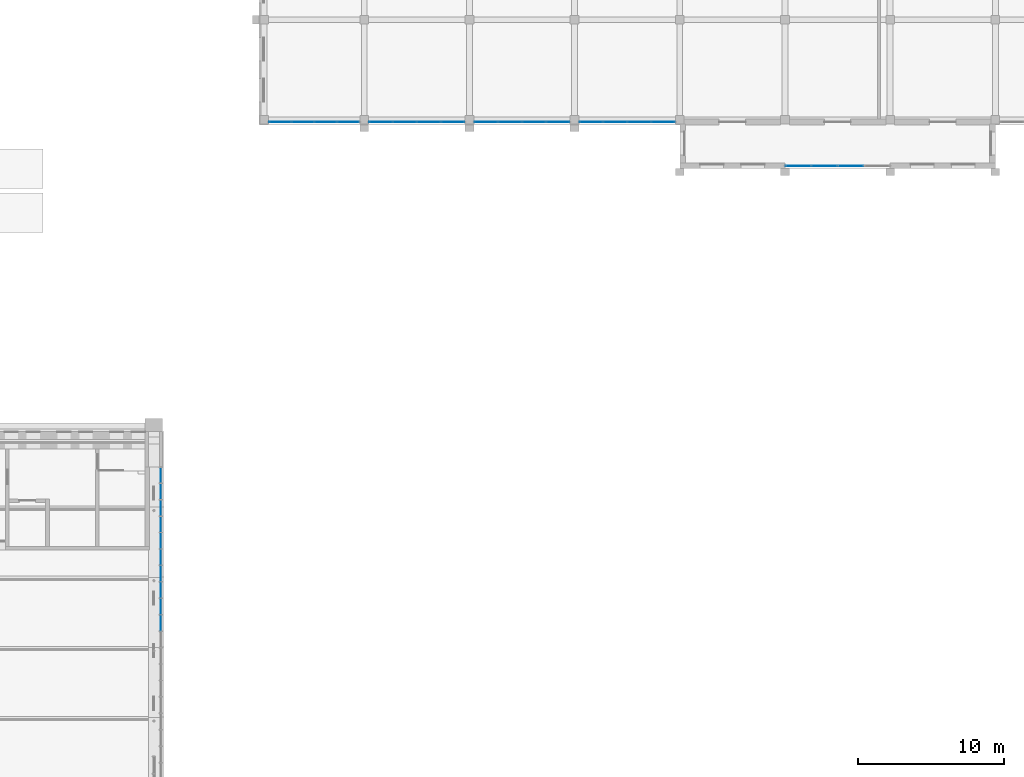
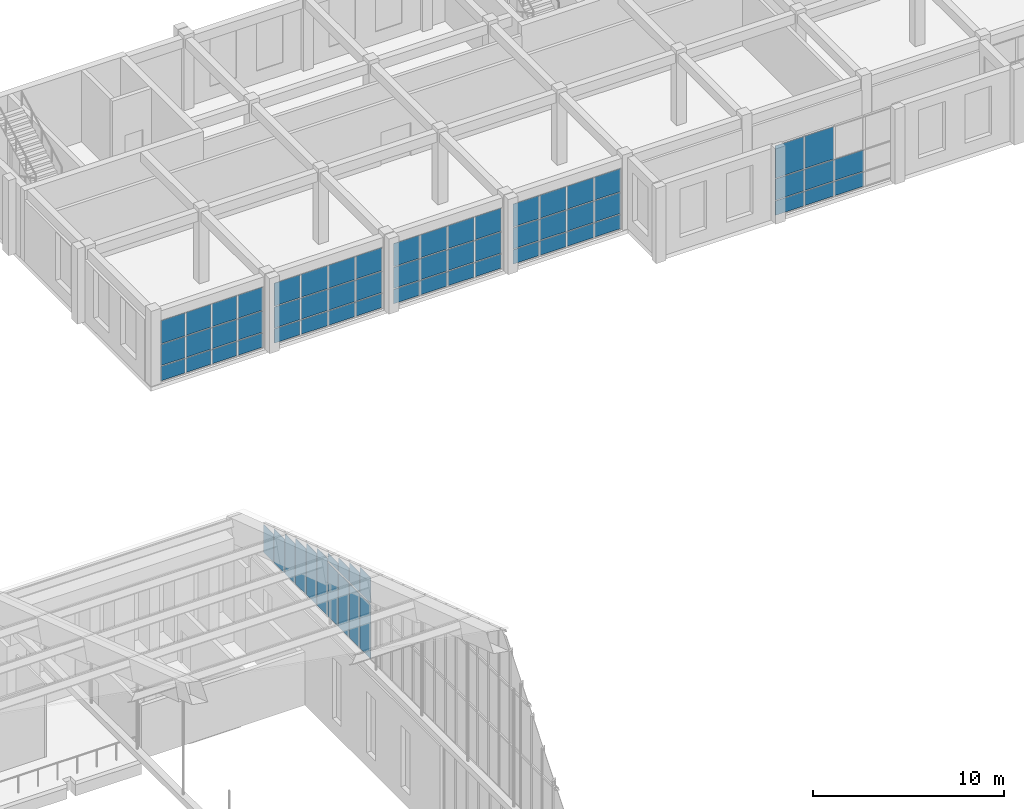
# One storey, part 119 of 149: 70 plates, 6 elements without a shape of their own.
"""IFC4 building model written with IfcOpenShell, lengths in metres."""

import ifcopenshell
import ifcopenshell.guid

model = None  # the IFC model being written
_history = None  # IfcOwnerHistory: only IFC2X3 demands one
_inside = {}  # id of a spatial element -> (the spatial element, [elements in it])
_under = {}  # id of a project, library or spatial element -> (it, [spatial elements below it])
_declared = {}  # id of a project -> (the project, [libraries it declares])
_typed = {}  # id of a type object -> (the type object, [elements of that type])
_made_of = {}  # id of a material, layer set ... -> (it, [elements and type objects made of it])


def new_model(schema):
    """Start an empty IFC model of exactly this schema.

    Asked for "IFC4X3", IfcOpenShell would pick the latest addendum, in which some entities
    have other attributes; the version numbers below select the first issue.
    IFC2X3 requires an IfcOwnerHistory on every rooted entity: one is made here for all.
    """
    global model, _history
    if schema == "IFC4X3":
        model = ifcopenshell.file(schema_version=(4, 3, 0, 0))
    else:
        model = ifcopenshell.file(schema=schema)
    _inside.clear()
    _under.clear()
    _declared.clear()
    _typed.clear()
    _made_of.clear()
    _history = None
    if model.schema == "IFC2X3":
        org = make("IfcOrganization", Name="unknown")
        user = make(
            "IfcPersonAndOrganization",
            ThePerson=make("IfcPerson", FamilyName="unknown"),
            TheOrganization=org,
        )
        app = make(
            "IfcApplication",
            ApplicationDeveloper=org,
            Version="unknown",
            ApplicationFullName="unknown",
            ApplicationIdentifier="unknown",
        )
        _history = make(
            "IfcOwnerHistory",
            OwningUser=user,
            OwningApplication=app,
            ChangeAction="ADDED",
            CreationDate=0,
        )
    return model


def make(cls, **values):
    """One entity of the class cls with the attributes given. An attribute that is None is left unset."""
    return model.create_entity(
        cls, **{name: value for name, value in values.items() if value is not None}
    )


def rooted(cls, **values):
    """An entity with a GlobalId (a new one), such as an element, a storey or a relation."""
    return make(cls, GlobalId=ifcopenshell.guid.new(), OwnerHistory=_history, **values)


def si_unit(unit_type, name, prefix=None):
    """IfcSIUnit, for example si_unit("LENGTHUNIT", "METRE", prefix="MILLI")."""
    return make("IfcSIUnit", UnitType=unit_type, Prefix=prefix, Name=name)


def assignment(units):
    """IfcUnitAssignment: the units of a project."""
    return None if units is None else make("IfcUnitAssignment", Units=units)


def point(xyz):
    """IfcCartesianPoint."""
    return None if xyz is None else make("IfcCartesianPoint", Coordinates=xyz)


def direction(xyz):
    """IfcDirection."""
    return None if xyz is None else make("IfcDirection", DirectionRatios=xyz)


def frame(location, z_axis=None, x_axis=None):
    """IfcAxis2Placement3D, a coordinate frame: its origin and axes. An axis left out is left unset."""
    return make(
        "IfcAxis2Placement3D",
        Location=point(location),
        Axis=direction(z_axis),
        RefDirection=direction(x_axis),
    )


def frame_2d(location, x_axis=None):
    """IfcAxis2Placement2D, a coordinate frame in the plane: its origin and x axis."""
    return make(
        "IfcAxis2Placement2D", Location=point(location), RefDirection=direction(x_axis)
    )


def origin():
    """The frame at (0, 0, 0) with its axes left unset."""
    return frame((0.0, 0.0, 0.0))


def origin_2d():
    """The frame at (0, 0) in the plane with its x axis left unset."""
    return frame_2d((0.0, 0.0))


def place(relative_to, where):
    """IfcLocalPlacement: puts the frame where relative to a parent placement (None: the world)."""
    return make(
        "IfcLocalPlacement", PlacementRelTo=relative_to, RelativePlacement=where
    )


def context(
    kind, dimensions, precision=None, world=None, true_north=None, identifier=None
):
    """IfcGeometricRepresentationContext, for example the 3D "Model" context."""
    return make(
        "IfcGeometricRepresentationContext",
        ContextIdentifier=identifier,
        ContextType=kind,
        CoordinateSpaceDimension=dimensions,
        Precision=precision,
        WorldCoordinateSystem=world,
        TrueNorth=true_north,
    )


def subcontext(parent, identifier, kind, view, scale=None):
    """IfcGeometricRepresentationSubContext, for example "Body" below "Model"."""
    return make(
        "IfcGeometricRepresentationSubContext",
        ContextIdentifier=identifier,
        ContextType=kind,
        ParentContext=parent,
        TargetScale=scale,
        TargetView=view,
    )


def project(units=None, contexts=None):
    """IfcProject with its units and contexts."""
    return rooted(
        "IfcProject",
        Name="project",
        RepresentationContexts=contexts,
        UnitsInContext=assignment(units),
    )


def spatial(cls, under=None, at=None, **own):
    """A site, building, storey or space (cls), placed at a placement, below another one or the project."""
    s = rooted(cls, ObjectPlacement=at, **own)
    if under is not None:
        _under.setdefault(under.id(), (under, []))[1].append(s)
    return s


def profile(cls, at=None, kind="AREA", **sizes):
    """A parametric profile (cls). Its sizes go by their IFC names, for example OverallWidth=200.0."""
    return make(cls, ProfileType=kind, Position=at, **sizes)


def rectangle(**sizes):
    """IfcRectangleProfileDef."""
    return profile("IfcRectangleProfileDef", **sizes)


def extrude(swept, where, along, depth):
    """IfcExtrudedAreaSolid: the profile swept, set in the frame where, extruded along a direction by depth."""
    return make(
        "IfcExtrudedAreaSolid",
        SweptArea=swept,
        Position=where,
        ExtrudedDirection=direction(along),
        Depth=depth,
    )


def shape(context_of_items, identifier, shape_type, items):
    """IfcShapeRepresentation: the items that make up one representation, for example the "Body"."""
    return make(
        "IfcShapeRepresentation",
        ContextOfItems=context_of_items,
        RepresentationIdentifier=identifier,
        RepresentationType=shape_type,
        Items=items,
    )


def material(Name=None, Category=None):
    """IfcMaterial."""
    return make("IfcMaterial", Name=Name, Category=Category)


def layer(
    of_material, thickness, ventilated=None, Name=None, Category=None, Priority=None
):
    """IfcMaterialLayer: one layer of a wall or slab, of a material (None: an air gap)."""
    return make(
        "IfcMaterialLayer",
        Material=of_material,
        LayerThickness=thickness,
        IsVentilated=ventilated,
        Name=Name,
        Category=Category,
        Priority=Priority,
    )


def layer_set(layers, Name=None):
    """IfcMaterialLayerSet."""
    return make("IfcMaterialLayerSet", MaterialLayers=layers, LayerSetName=Name)


def made_of(thing, what):
    """Note that an element or type object is made of a material, layer set ...; save() writes the relation."""
    if what is not None:
        _made_of.setdefault(what.id(), (what, []))[1].append(thing)
    return thing


def type_object(cls, material=None, **own):
    """A type object (cls), such as IfcWallType, which elements share."""
    return made_of(rooted(cls, **own), material)


def element(
    cls,
    number,
    at=None,
    inside=None,
    cuts=None,
    type_object=None,
    material=None,
    context=None,
    identifier="Body",
    shape_type=None,
    held_by="IfcProductDefinitionShape",
    body=None,
    shapes=None,
    **own,
):
    """One element of the class cls, such as IfcWall. Its Tag is "e" and its number.

    at: its placement. inside: the storey or other place that contains it. cuts: it is an
    opening in that element (IfcRelVoidsElement). A single representation is given by context,
    identifier, shape_type and body (its items); several are given by shapes. held_by: the class
    of the entity that holds the representations. save() writes the other relations.
    """
    e = rooted(cls, Tag="e%d" % number, ObjectPlacement=at, **own)
    if body is not None:
        shapes = [shape(context, identifier, shape_type, body)]
    if shapes is not None:
        e.Representation = make(held_by, Representations=shapes)
    if inside is not None:
        _inside.setdefault(inside.id(), (inside, []))[1].append(e)
    if cuts is not None:
        rooted(
            "IfcRelVoidsElement", RelatingBuildingElement=cuts, RelatedOpeningElement=e
        )
    if type_object is not None:
        _typed.setdefault(type_object.id(), (type_object, []))[1].append(e)
    return made_of(e, material)


def aggregate(whole, parts):
    """IfcRelAggregates: a whole, such as a stair, and the parts it consists of."""
    return rooted("IfcRelAggregates", RelatingObject=whole, RelatedObjects=parts)


def save(model, path):
    """Write the relations noted so far, then the file.

    IfcRelAggregates (storeys below a building ...), IfcRelContainedInSpatialStructure (elements
    in a storey), IfcRelDefinesByType, IfcRelAssociatesMaterial and IfcRelDeclares: one each for
    every whole, place, type object, material and project.
    """
    for whole, parts in _under.values():
        aggregate(whole, parts)
    for where, things in _inside.values():
        rooted(
            "IfcRelContainedInSpatialStructure",
            RelatedElements=things,
            RelatingStructure=where,
        )
    for kind, things in _typed.values():
        rooted("IfcRelDefinesByType", RelatedObjects=things, RelatingType=kind)
    for what, things in _made_of.values():
        rooted("IfcRelAssociatesMaterial", RelatedObjects=things, RelatingMaterial=what)
    for by, libraries in _declared.values():
        rooted("IfcRelDeclares", RelatingContext=by, RelatedDefinitions=libraries)
    model.write(path)


model = new_model("IFC4")

# Units and contexts
model_context = context("Model", 3, precision=1e-05, world=origin(), true_north=direction((0.0, 1.0)))
body_context = subcontext(model_context, "Body", "Model", "MODEL_VIEW")
ifc_project = project(units=[si_unit("LENGTHUNIT", "METRE"), si_unit("AREAUNIT", "SQUARE_METRE"), si_unit("VOLUMEUNIT", "CUBIC_METRE"), si_unit("PLANEANGLEUNIT", "RADIAN"), si_unit("MASSUNIT", "GRAM", prefix="KILO")], contexts=[model_context])

# Site, building, storey
site_placement = place(None, origin())
site = spatial("IfcSite", under=ifc_project, at=site_placement, CompositionType="ELEMENT")
building_placement = place(site_placement, origin())
building = spatial("IfcBuilding", under=site, at=building_placement, Name="Alderwick Market Hall", CompositionType="ELEMENT")
storey_placement = place(building_placement, frame((0.0, 0.0, 9.60009765625)))
storey = spatial("IfcBuildingStorey", under=building, at=storey_placement, Name="L01", CompositionType="ELEMENT", Elevation=9.60009765625)

# Curtain wall, plates
ifc_material_1 = material(Name="F Curtain Wall 1800 module")
curtain_wall_type_1 = type_object("IfcCurtainWallType", Name="F Curtain Wall 1800 module", PredefinedType="NOTDEFINED", material=ifc_material_1)
curtain_wall_1_placement = place(storey_placement, origin())
curtain_wall_1 = element("IfcCurtainWall", 1, at=curtain_wall_1_placement, inside=storey, type_object=curtain_wall_type_1, Name="F.cw.L01.01", PredefinedType="NOTDEFINED")
ifc_material_2 = material(Name="Laminated glass 28 mm", Category="glass")
ifc_layer_1 = layer(ifc_material_2, 0.028076171875)
ifc_layer_set_1 = layer_set([ifc_layer_1], Name="Laminated glass 28 mm")
plate_type_1 = type_object("IfcPlateType", Name="F Curtain Wall Glass Panel 28", PredefinedType="CURTAIN_PANEL", material=ifc_layer_set_1)
plate_1_placement = place(storey_placement, frame((164.503662109375, 129.800048828125, 0.06005859375), z_axis=(0.0, 0.0, 1.0), x_axis=(-1.0, 0.0, 0.0)))
plate_1 = element("IfcPlate", 2, at=plate_1_placement, type_object=plate_type_1, Name="F-CW panel 1.1", PredefinedType="CURTAIN_PANEL", context=body_context, shape_type="SweptSolid", body=[
    extrude(rectangle(XDim=1.472412109375, YDim=0.028076171875, at=origin_2d()), origin(), (0.0, 0.0, 1.0), 0.909912109375),
])
plate_2_placement = place(storey_placement, frame((164.503662109375, 129.800048828125, 1.02978515625), z_axis=(0.0, 0.0, 1.0), x_axis=(-1.0, 0.0, 0.0)))
plate_2 = element("IfcPlate", 3, at=plate_2_placement, type_object=plate_type_1, Name="F-CW panel 1.2", PredefinedType="CURTAIN_PANEL", context=body_context, shape_type="SweptSolid", body=[
    extrude(rectangle(XDim=1.472412109375, YDim=0.028076171875, at=origin_2d()), origin(), (0.0, 0.0, 1.0), 1.340087890625),
])
plate_3_placement = place(storey_placement, frame((164.503662109375, 129.800048828125, 2.429931640625), z_axis=(0.0, 0.0, 1.0), x_axis=(-1.0, 0.0, 0.0)))
plate_3 = element("IfcPlate", 4, at=plate_3_placement, type_object=plate_type_1, Name="F-CW panel 1.3", PredefinedType="CURTAIN_PANEL", context=body_context, shape_type="SweptSolid", body=[
    extrude(rectangle(XDim=1.472412109375, YDim=0.028076171875, at=origin_2d()), origin(), (0.0, 0.0, 1.0), 1.4599609375),
])
plate_4_placement = place(storey_placement, frame((162.956298828125, 129.800048828125, 0.06005859375), z_axis=(0.0, 0.0, 1.0), x_axis=(-1.0, 0.0, 0.0)))
plate_4 = element("IfcPlate", 5, at=plate_4_placement, type_object=plate_type_1, Name="F-CW panel 2.1", PredefinedType="CURTAIN_PANEL", context=body_context, shape_type="SweptSolid", body=[
    extrude(rectangle(XDim=1.50244140625, YDim=0.028076171875, at=origin_2d()), origin(), (0.0, 0.0, 1.0), 0.909912109375),
])
plate_5_placement = place(storey_placement, frame((162.956298828125, 129.800048828125, 1.02978515625), z_axis=(0.0, 0.0, 1.0), x_axis=(-1.0, 0.0, 0.0)))
plate_5 = element("IfcPlate", 6, at=plate_5_placement, type_object=plate_type_1, Name="F-CW panel 2.2", PredefinedType="CURTAIN_PANEL", context=body_context, shape_type="SweptSolid", body=[
    extrude(rectangle(XDim=1.50244140625, YDim=0.028076171875, at=origin_2d()), origin(), (0.0, 0.0, 1.0), 1.340087890625),
])
plate_6_placement = place(storey_placement, frame((162.956298828125, 129.800048828125, 2.429931640625), z_axis=(0.0, 0.0, 1.0), x_axis=(-1.0, 0.0, 0.0)))
plate_6 = element("IfcPlate", 7, at=plate_6_placement, type_object=plate_type_1, Name="F-CW panel 2.3", PredefinedType="CURTAIN_PANEL", context=body_context, shape_type="SweptSolid", body=[
    extrude(rectangle(XDim=1.50244140625, YDim=0.028076171875, at=origin_2d()), origin(), (0.0, 0.0, 1.0), 1.4599609375),
])
plate_7_placement = place(storey_placement, frame((161.393798828125, 129.800048828125, 0.06005859375), z_axis=(0.0, 0.0, 1.0), x_axis=(-1.0, 0.0, 0.0)))
plate_7 = element("IfcPlate", 8, at=plate_7_placement, type_object=plate_type_1, Name="F-CW panel 3.1", PredefinedType="CURTAIN_PANEL", context=body_context, shape_type="SweptSolid", body=[
    extrude(rectangle(XDim=1.50244140625, YDim=0.028076171875, at=origin_2d()), origin(), (0.0, 0.0, 1.0), 0.909912109375),
])
plate_8_placement = place(storey_placement, frame((161.393798828125, 129.800048828125, 1.02978515625), z_axis=(0.0, 0.0, 1.0), x_axis=(-1.0, 0.0, 0.0)))
plate_8 = element("IfcPlate", 9, at=plate_8_placement, type_object=plate_type_1, Name="F-CW panel 3.2", PredefinedType="CURTAIN_PANEL", context=body_context, shape_type="SweptSolid", body=[
    extrude(rectangle(XDim=1.50244140625, YDim=0.028076171875, at=origin_2d()), origin(), (0.0, 0.0, 1.0), 1.340087890625),
])
plate_9_placement = place(storey_placement, frame((161.393798828125, 129.800048828125, 2.429931640625), z_axis=(0.0, 0.0, 1.0), x_axis=(-1.0, 0.0, 0.0)))
plate_9 = element("IfcPlate", 10, at=plate_9_placement, type_object=plate_type_1, Name="F-CW panel 3.3", PredefinedType="CURTAIN_PANEL", context=body_context, shape_type="SweptSolid", body=[
    extrude(rectangle(XDim=1.50244140625, YDim=0.028076171875, at=origin_2d()), origin(), (0.0, 0.0, 1.0), 1.4599609375),
])
plate_10_placement = place(storey_placement, frame((159.84619140625, 129.800048828125, 0.06005859375), z_axis=(0.0, 0.0, 1.0), x_axis=(-1.0, 0.0, 0.0)))
plate_10 = element("IfcPlate", 11, at=plate_10_placement, type_object=plate_type_1, Name="F-CW panel 4.1", PredefinedType="CURTAIN_PANEL", context=body_context, shape_type="SweptSolid", body=[
    extrude(rectangle(XDim=1.472412109375, YDim=0.028076171875, at=origin_2d()), origin(), (0.0, 0.0, 1.0), 0.909912109375),
])
plate_11_placement = place(storey_placement, frame((159.84619140625, 129.800048828125, 1.02978515625), z_axis=(0.0, 0.0, 1.0), x_axis=(-1.0, 0.0, 0.0)))
plate_11 = element("IfcPlate", 12, at=plate_11_placement, type_object=plate_type_1, Name="F-CW panel 4.2", PredefinedType="CURTAIN_PANEL", context=body_context, shape_type="SweptSolid", body=[
    extrude(rectangle(XDim=1.472412109375, YDim=0.028076171875, at=origin_2d()), origin(), (0.0, 0.0, 1.0), 1.340087890625),
])
plate_12_placement = place(storey_placement, frame((159.84619140625, 129.800048828125, 2.429931640625), z_axis=(0.0, 0.0, 1.0), x_axis=(-1.0, 0.0, 0.0)))
plate_12 = element("IfcPlate", 13, at=plate_12_placement, type_object=plate_type_1, Name="F-CW panel 4.3", PredefinedType="CURTAIN_PANEL", context=body_context, shape_type="SweptSolid", body=[
    extrude(rectangle(XDim=1.472412109375, YDim=0.028076171875, at=origin_2d()), origin(), (0.0, 0.0, 1.0), 1.4599609375),
])
aggregate(curtain_wall_1, [plate_1, plate_2, plate_3, plate_4, plate_5, plate_6, plate_7, plate_8, plate_9, plate_10, plate_11, plate_12])

curtain_wall_2_placement = place(storey_placement, origin())
curtain_wall_2 = element("IfcCurtainWall", 14, at=curtain_wall_2_placement, inside=storey, type_object=curtain_wall_type_1, Name="F.cw.L01.02", PredefinedType="NOTDEFINED")
plate_13_placement = place(storey_placement, frame((171.659912109375, 129.800048828125, 0.06005859375), z_axis=(0.0, 0.0, 1.0), x_axis=(-1.0, 0.0, 0.0)))
plate_13 = element("IfcPlate", 15, at=plate_13_placement, type_object=plate_type_1, Name="F-CW panel 1.1", PredefinedType="CURTAIN_PANEL", context=body_context, shape_type="SweptSolid", body=[
    extrude(rectangle(XDim=1.56005859375, YDim=0.028076171875, at=origin_2d()), origin(), (0.0, 0.0, 1.0), 0.909912109375),
])
plate_14_placement = place(storey_placement, frame((171.659912109375, 129.800048828125, 1.02978515625), z_axis=(0.0, 0.0, 1.0), x_axis=(-1.0, 0.0, 0.0)))
plate_14 = element("IfcPlate", 16, at=plate_14_placement, type_object=plate_type_1, Name="F-CW panel 1.2", PredefinedType="CURTAIN_PANEL", context=body_context, shape_type="SweptSolid", body=[
    extrude(rectangle(XDim=1.56005859375, YDim=0.028076171875, at=origin_2d()), origin(), (0.0, 0.0, 1.0), 1.340087890625),
])
plate_15_placement = place(storey_placement, frame((171.659912109375, 129.800048828125, 2.429931640625), z_axis=(0.0, 0.0, 1.0), x_axis=(-1.0, 0.0, 0.0)))
plate_15 = element("IfcPlate", 17, at=plate_15_placement, type_object=plate_type_1, Name="F-CW panel 1.3", PredefinedType="CURTAIN_PANEL", context=body_context, shape_type="SweptSolid", body=[
    extrude(rectangle(XDim=1.56005859375, YDim=0.028076171875, at=origin_2d()), origin(), (0.0, 0.0, 1.0), 1.4599609375),
])
plate_16_placement = place(storey_placement, frame((170.02490234375, 129.800048828125, 0.06005859375), z_axis=(0.0, 0.0, 1.0), x_axis=(-1.0, 0.0, 0.0)))
plate_16 = element("IfcPlate", 18, at=plate_16_placement, type_object=plate_type_1, Name="F-CW panel 2.1", PredefinedType="CURTAIN_PANEL", context=body_context, shape_type="SweptSolid", body=[
    extrude(rectangle(XDim=1.590087890625, YDim=0.028076171875, at=origin_2d()), origin(), (0.0, 0.0, 1.0), 0.909912109375),
])
plate_17_placement = place(storey_placement, frame((170.02490234375, 129.800048828125, 1.02978515625), z_axis=(0.0, 0.0, 1.0), x_axis=(-1.0, 0.0, 0.0)))
plate_17 = element("IfcPlate", 19, at=plate_17_placement, type_object=plate_type_1, Name="F-CW panel 2.2", PredefinedType="CURTAIN_PANEL", context=body_context, shape_type="SweptSolid", body=[
    extrude(rectangle(XDim=1.590087890625, YDim=0.028076171875, at=origin_2d()), origin(), (0.0, 0.0, 1.0), 1.340087890625),
])
plate_18_placement = place(storey_placement, frame((170.02490234375, 129.800048828125, 2.429931640625), z_axis=(0.0, 0.0, 1.0), x_axis=(-1.0, 0.0, 0.0)))
plate_18 = element("IfcPlate", 20, at=plate_18_placement, type_object=plate_type_1, Name="F-CW panel 2.3", PredefinedType="CURTAIN_PANEL", context=body_context, shape_type="SweptSolid", body=[
    extrude(rectangle(XDim=1.590087890625, YDim=0.028076171875, at=origin_2d()), origin(), (0.0, 0.0, 1.0), 1.4599609375),
])
plate_19_placement = place(storey_placement, frame((168.375, 129.800048828125, 0.06005859375), z_axis=(0.0, 0.0, 1.0), x_axis=(-1.0, 0.0, 0.0)))
plate_19 = element("IfcPlate", 21, at=plate_19_placement, type_object=plate_type_1, Name="F-CW panel 3.1", PredefinedType="CURTAIN_PANEL", context=body_context, shape_type="SweptSolid", body=[
    extrude(rectangle(XDim=1.590087890625, YDim=0.028076171875, at=origin_2d()), origin(), (0.0, 0.0, 1.0), 0.909912109375),
])
plate_20_placement = place(storey_placement, frame((168.375, 129.800048828125, 1.02978515625), z_axis=(0.0, 0.0, 1.0), x_axis=(-1.0, 0.0, 0.0)))
plate_20 = element("IfcPlate", 22, at=plate_20_placement, type_object=plate_type_1, Name="F-CW panel 3.2", PredefinedType="CURTAIN_PANEL", context=body_context, shape_type="SweptSolid", body=[
    extrude(rectangle(XDim=1.590087890625, YDim=0.028076171875, at=origin_2d()), origin(), (0.0, 0.0, 1.0), 1.340087890625),
])
plate_21_placement = place(storey_placement, frame((168.375, 129.800048828125, 2.429931640625), z_axis=(0.0, 0.0, 1.0), x_axis=(-1.0, 0.0, 0.0)))
plate_21 = element("IfcPlate", 23, at=plate_21_placement, type_object=plate_type_1, Name="F-CW panel 3.3", PredefinedType="CURTAIN_PANEL", context=body_context, shape_type="SweptSolid", body=[
    extrude(rectangle(XDim=1.590087890625, YDim=0.028076171875, at=origin_2d()), origin(), (0.0, 0.0, 1.0), 1.4599609375),
])
plate_22_placement = place(storey_placement, frame((166.739990234375, 129.800048828125, 0.06005859375), z_axis=(0.0, 0.0, 1.0), x_axis=(-1.0, 0.0, 0.0)))
plate_22 = element("IfcPlate", 24, at=plate_22_placement, type_object=plate_type_1, Name="F-CW panel 4.1", PredefinedType="CURTAIN_PANEL", context=body_context, shape_type="SweptSolid", body=[
    extrude(rectangle(XDim=1.56005859375, YDim=0.028076171875, at=origin_2d()), origin(), (0.0, 0.0, 1.0), 0.909912109375),
])
plate_23_placement = place(storey_placement, frame((166.739990234375, 129.800048828125, 1.02978515625), z_axis=(0.0, 0.0, 1.0), x_axis=(-1.0, 0.0, 0.0)))
plate_23 = element("IfcPlate", 25, at=plate_23_placement, type_object=plate_type_1, Name="F-CW panel 4.2", PredefinedType="CURTAIN_PANEL", context=body_context, shape_type="SweptSolid", body=[
    extrude(rectangle(XDim=1.56005859375, YDim=0.028076171875, at=origin_2d()), origin(), (0.0, 0.0, 1.0), 1.340087890625),
])
plate_24_placement = place(storey_placement, frame((166.739990234375, 129.800048828125, 2.429931640625), z_axis=(0.0, 0.0, 1.0), x_axis=(-1.0, 0.0, 0.0)))
plate_24 = element("IfcPlate", 26, at=plate_24_placement, type_object=plate_type_1, Name="F-CW panel 4.3", PredefinedType="CURTAIN_PANEL", context=body_context, shape_type="SweptSolid", body=[
    extrude(rectangle(XDim=1.56005859375, YDim=0.028076171875, at=origin_2d()), origin(), (0.0, 0.0, 1.0), 1.4599609375),
])
aggregate(curtain_wall_2, [plate_13, plate_14, plate_15, plate_16, plate_17, plate_18, plate_19, plate_20, plate_21, plate_22, plate_23, plate_24])

curtain_wall_3_placement = place(storey_placement, origin())
curtain_wall_3 = element("IfcCurtainWall", 27, at=curtain_wall_3_placement, inside=storey, type_object=curtain_wall_type_1, Name="F.cw.L01.03", PredefinedType="NOTDEFINED")
plate_25_placement = place(storey_placement, frame((178.860107421875, 129.800048828125, 0.06005859375), z_axis=(0.0, 0.0, 1.0), x_axis=(-1.0, 0.0, 0.0)))
plate_25 = element("IfcPlate", 28, at=plate_25_placement, type_object=plate_type_1, Name="F-CW panel 1.1", PredefinedType="CURTAIN_PANEL", context=body_context, shape_type="SweptSolid", body=[
    extrude(rectangle(XDim=1.56005859375, YDim=0.028076171875, at=origin_2d()), origin(), (0.0, 0.0, 1.0), 0.909912109375),
])
plate_26_placement = place(storey_placement, frame((178.860107421875, 129.800048828125, 1.02978515625), z_axis=(0.0, 0.0, 1.0), x_axis=(-1.0, 0.0, 0.0)))
plate_26 = element("IfcPlate", 29, at=plate_26_placement, type_object=plate_type_1, Name="F-CW panel 1.2", PredefinedType="CURTAIN_PANEL", context=body_context, shape_type="SweptSolid", body=[
    extrude(rectangle(XDim=1.56005859375, YDim=0.028076171875, at=origin_2d()), origin(), (0.0, 0.0, 1.0), 1.340087890625),
])
plate_27_placement = place(storey_placement, frame((178.860107421875, 129.800048828125, 2.429931640625), z_axis=(0.0, 0.0, 1.0), x_axis=(-1.0, 0.0, 0.0)))
plate_27 = element("IfcPlate", 30, at=plate_27_placement, type_object=plate_type_1, Name="F-CW panel 1.3", PredefinedType="CURTAIN_PANEL", context=body_context, shape_type="SweptSolid", body=[
    extrude(rectangle(XDim=1.56005859375, YDim=0.028076171875, at=origin_2d()), origin(), (0.0, 0.0, 1.0), 1.4599609375),
])
plate_28_placement = place(storey_placement, frame((177.22509765625, 129.800048828125, 0.06005859375), z_axis=(0.0, 0.0, 1.0), x_axis=(-1.0, 0.0, 0.0)))
plate_28 = element("IfcPlate", 31, at=plate_28_placement, type_object=plate_type_1, Name="F-CW panel 2.1", PredefinedType="CURTAIN_PANEL", context=body_context, shape_type="SweptSolid", body=[
    extrude(rectangle(XDim=1.590087890625, YDim=0.028076171875, at=origin_2d()), origin(), (0.0, 0.0, 1.0), 0.909912109375),
])
plate_29_placement = place(storey_placement, frame((177.22509765625, 129.800048828125, 1.02978515625), z_axis=(0.0, 0.0, 1.0), x_axis=(-1.0, 0.0, 0.0)))
plate_29 = element("IfcPlate", 32, at=plate_29_placement, type_object=plate_type_1, Name="F-CW panel 2.2", PredefinedType="CURTAIN_PANEL", context=body_context, shape_type="SweptSolid", body=[
    extrude(rectangle(XDim=1.590087890625, YDim=0.028076171875, at=origin_2d()), origin(), (0.0, 0.0, 1.0), 1.340087890625),
])
plate_30_placement = place(storey_placement, frame((177.22509765625, 129.800048828125, 2.429931640625), z_axis=(0.0, 0.0, 1.0), x_axis=(-1.0, 0.0, 0.0)))
plate_30 = element("IfcPlate", 33, at=plate_30_placement, type_object=plate_type_1, Name="F-CW panel 2.3", PredefinedType="CURTAIN_PANEL", context=body_context, shape_type="SweptSolid", body=[
    extrude(rectangle(XDim=1.590087890625, YDim=0.028076171875, at=origin_2d()), origin(), (0.0, 0.0, 1.0), 1.4599609375),
])
plate_31_placement = place(storey_placement, frame((175.574951171875, 129.800048828125, 0.06005859375), z_axis=(0.0, 0.0, 1.0), x_axis=(-1.0, 0.0, 0.0)))
plate_31 = element("IfcPlate", 34, at=plate_31_placement, type_object=plate_type_1, Name="F-CW panel 3.1", PredefinedType="CURTAIN_PANEL", context=body_context, shape_type="SweptSolid", body=[
    extrude(rectangle(XDim=1.590087890625, YDim=0.028076171875, at=origin_2d()), origin(), (0.0, 0.0, 1.0), 0.909912109375),
])
plate_32_placement = place(storey_placement, frame((175.574951171875, 129.800048828125, 1.02978515625), z_axis=(0.0, 0.0, 1.0), x_axis=(-1.0, 0.0, 0.0)))
plate_32 = element("IfcPlate", 35, at=plate_32_placement, type_object=plate_type_1, Name="F-CW panel 3.2", PredefinedType="CURTAIN_PANEL", context=body_context, shape_type="SweptSolid", body=[
    extrude(rectangle(XDim=1.590087890625, YDim=0.028076171875, at=origin_2d()), origin(), (0.0, 0.0, 1.0), 1.340087890625),
])
plate_33_placement = place(storey_placement, frame((175.574951171875, 129.800048828125, 2.429931640625), z_axis=(0.0, 0.0, 1.0), x_axis=(-1.0, 0.0, 0.0)))
plate_33 = element("IfcPlate", 36, at=plate_33_placement, type_object=plate_type_1, Name="F-CW panel 3.3", PredefinedType="CURTAIN_PANEL", context=body_context, shape_type="SweptSolid", body=[
    extrude(rectangle(XDim=1.590087890625, YDim=0.028076171875, at=origin_2d()), origin(), (0.0, 0.0, 1.0), 1.4599609375),
])
plate_34_placement = place(storey_placement, frame((173.93994140625, 129.800048828125, 0.06005859375), z_axis=(0.0, 0.0, 1.0), x_axis=(-1.0, 0.0, 0.0)))
plate_34 = element("IfcPlate", 37, at=plate_34_placement, type_object=plate_type_1, Name="F-CW panel 4.1", PredefinedType="CURTAIN_PANEL", context=body_context, shape_type="SweptSolid", body=[
    extrude(rectangle(XDim=1.56005859375, YDim=0.028076171875, at=origin_2d()), origin(), (0.0, 0.0, 1.0), 0.909912109375),
])
plate_35_placement = place(storey_placement, frame((173.93994140625, 129.800048828125, 1.02978515625), z_axis=(0.0, 0.0, 1.0), x_axis=(-1.0, 0.0, 0.0)))
plate_35 = element("IfcPlate", 38, at=plate_35_placement, type_object=plate_type_1, Name="F-CW panel 4.2", PredefinedType="CURTAIN_PANEL", context=body_context, shape_type="SweptSolid", body=[
    extrude(rectangle(XDim=1.56005859375, YDim=0.028076171875, at=origin_2d()), origin(), (0.0, 0.0, 1.0), 1.340087890625),
])
plate_36_placement = place(storey_placement, frame((173.93994140625, 129.800048828125, 2.429931640625), z_axis=(0.0, 0.0, 1.0), x_axis=(-1.0, 0.0, 0.0)))
plate_36 = element("IfcPlate", 39, at=plate_36_placement, type_object=plate_type_1, Name="F-CW panel 4.3", PredefinedType="CURTAIN_PANEL", context=body_context, shape_type="SweptSolid", body=[
    extrude(rectangle(XDim=1.56005859375, YDim=0.028076171875, at=origin_2d()), origin(), (0.0, 0.0, 1.0), 1.4599609375),
])
aggregate(curtain_wall_3, [plate_25, plate_26, plate_27, plate_28, plate_29, plate_30, plate_31, plate_32, plate_33, plate_34, plate_35, plate_36])

curtain_wall_4_placement = place(storey_placement, origin())
curtain_wall_4 = element("IfcCurtainWall", 40, at=curtain_wall_4_placement, inside=storey, type_object=curtain_wall_type_1, Name="F.cw.L01.04", PredefinedType="NOTDEFINED")
plate_37_placement = place(storey_placement, frame((186.06005859375, 129.800048828125, 0.06005859375), z_axis=(0.0, 0.0, 1.0), x_axis=(-1.0, 0.0, 0.0)))
plate_37 = element("IfcPlate", 41, at=plate_37_placement, type_object=plate_type_1, Name="F-CW panel 1.1", PredefinedType="CURTAIN_PANEL", context=body_context, shape_type="SweptSolid", body=[
    extrude(rectangle(XDim=1.56005859375, YDim=0.028076171875, at=origin_2d()), origin(), (0.0, 0.0, 1.0), 0.909912109375),
])
plate_38_placement = place(storey_placement, frame((186.06005859375, 129.800048828125, 1.02978515625), z_axis=(0.0, 0.0, 1.0), x_axis=(-1.0, 0.0, 0.0)))
plate_38 = element("IfcPlate", 42, at=plate_38_placement, type_object=plate_type_1, Name="F-CW panel 1.2", PredefinedType="CURTAIN_PANEL", context=body_context, shape_type="SweptSolid", body=[
    extrude(rectangle(XDim=1.56005859375, YDim=0.028076171875, at=origin_2d()), origin(), (0.0, 0.0, 1.0), 1.340087890625),
])
plate_39_placement = place(storey_placement, frame((186.06005859375, 129.800048828125, 2.429931640625), z_axis=(0.0, 0.0, 1.0), x_axis=(-1.0, 0.0, 0.0)))
plate_39 = element("IfcPlate", 43, at=plate_39_placement, type_object=plate_type_1, Name="F-CW panel 1.3", PredefinedType="CURTAIN_PANEL", context=body_context, shape_type="SweptSolid", body=[
    extrude(rectangle(XDim=1.56005859375, YDim=0.028076171875, at=origin_2d()), origin(), (0.0, 0.0, 1.0), 1.4599609375),
])
plate_40_placement = place(storey_placement, frame((184.425048828125, 129.800048828125, 0.06005859375), z_axis=(0.0, 0.0, 1.0), x_axis=(-1.0, 0.0, 0.0)))
plate_40 = element("IfcPlate", 44, at=plate_40_placement, type_object=plate_type_1, Name="F-CW panel 2.1", PredefinedType="CURTAIN_PANEL", context=body_context, shape_type="SweptSolid", body=[
    extrude(rectangle(XDim=1.590087890625, YDim=0.028076171875, at=origin_2d()), origin(), (0.0, 0.0, 1.0), 0.909912109375),
])
plate_41_placement = place(storey_placement, frame((184.425048828125, 129.800048828125, 1.02978515625), z_axis=(0.0, 0.0, 1.0), x_axis=(-1.0, 0.0, 0.0)))
plate_41 = element("IfcPlate", 45, at=plate_41_placement, type_object=plate_type_1, Name="F-CW panel 2.2", PredefinedType="CURTAIN_PANEL", context=body_context, shape_type="SweptSolid", body=[
    extrude(rectangle(XDim=1.590087890625, YDim=0.028076171875, at=origin_2d()), origin(), (0.0, 0.0, 1.0), 1.340087890625),
])
plate_42_placement = place(storey_placement, frame((184.425048828125, 129.800048828125, 2.429931640625), z_axis=(0.0, 0.0, 1.0), x_axis=(-1.0, 0.0, 0.0)))
plate_42 = element("IfcPlate", 46, at=plate_42_placement, type_object=plate_type_1, Name="F-CW panel 2.3", PredefinedType="CURTAIN_PANEL", context=body_context, shape_type="SweptSolid", body=[
    extrude(rectangle(XDim=1.590087890625, YDim=0.028076171875, at=origin_2d()), origin(), (0.0, 0.0, 1.0), 1.4599609375),
])
plate_43_placement = place(storey_placement, frame((182.77490234375, 129.800048828125, 0.06005859375), z_axis=(0.0, 0.0, 1.0), x_axis=(-1.0, 0.0, 0.0)))
plate_43 = element("IfcPlate", 47, at=plate_43_placement, type_object=plate_type_1, Name="F-CW panel 3.1", PredefinedType="CURTAIN_PANEL", context=body_context, shape_type="SweptSolid", body=[
    extrude(rectangle(XDim=1.590087890625, YDim=0.028076171875, at=origin_2d()), origin(), (0.0, 0.0, 1.0), 0.909912109375),
])
plate_44_placement = place(storey_placement, frame((182.77490234375, 129.800048828125, 1.02978515625), z_axis=(0.0, 0.0, 1.0), x_axis=(-1.0, 0.0, 0.0)))
plate_44 = element("IfcPlate", 48, at=plate_44_placement, type_object=plate_type_1, Name="F-CW panel 3.2", PredefinedType="CURTAIN_PANEL", context=body_context, shape_type="SweptSolid", body=[
    extrude(rectangle(XDim=1.590087890625, YDim=0.028076171875, at=origin_2d()), origin(), (0.0, 0.0, 1.0), 1.340087890625),
])
plate_45_placement = place(storey_placement, frame((182.77490234375, 129.800048828125, 2.429931640625), z_axis=(0.0, 0.0, 1.0), x_axis=(-1.0, 0.0, 0.0)))
plate_45 = element("IfcPlate", 49, at=plate_45_placement, type_object=plate_type_1, Name="F-CW panel 3.3", PredefinedType="CURTAIN_PANEL", context=body_context, shape_type="SweptSolid", body=[
    extrude(rectangle(XDim=1.590087890625, YDim=0.028076171875, at=origin_2d()), origin(), (0.0, 0.0, 1.0), 1.4599609375),
])
plate_46_placement = place(storey_placement, frame((181.139892578125, 129.800048828125, 0.06005859375), z_axis=(0.0, 0.0, 1.0), x_axis=(-1.0, 0.0, 0.0)))
plate_46 = element("IfcPlate", 50, at=plate_46_placement, type_object=plate_type_1, Name="F-CW panel 4.1", PredefinedType="CURTAIN_PANEL", context=body_context, shape_type="SweptSolid", body=[
    extrude(rectangle(XDim=1.56005859375, YDim=0.028076171875, at=origin_2d()), origin(), (0.0, 0.0, 1.0), 0.909912109375),
])
plate_47_placement = place(storey_placement, frame((181.139892578125, 129.800048828125, 1.02978515625), z_axis=(0.0, 0.0, 1.0), x_axis=(-1.0, 0.0, 0.0)))
plate_47 = element("IfcPlate", 51, at=plate_47_placement, type_object=plate_type_1, Name="F-CW panel 4.2", PredefinedType="CURTAIN_PANEL", context=body_context, shape_type="SweptSolid", body=[
    extrude(rectangle(XDim=1.56005859375, YDim=0.028076171875, at=origin_2d()), origin(), (0.0, 0.0, 1.0), 1.340087890625),
])
plate_48_placement = place(storey_placement, frame((181.139892578125, 129.800048828125, 2.429931640625), z_axis=(0.0, 0.0, 1.0), x_axis=(-1.0, 0.0, 0.0)))
plate_48 = element("IfcPlate", 52, at=plate_48_placement, type_object=plate_type_1, Name="F-CW panel 4.3", PredefinedType="CURTAIN_PANEL", context=body_context, shape_type="SweptSolid", body=[
    extrude(rectangle(XDim=1.56005859375, YDim=0.028076171875, at=origin_2d()), origin(), (0.0, 0.0, 1.0), 1.4599609375),
])
aggregate(curtain_wall_4, [plate_37, plate_38, plate_39, plate_40, plate_41, plate_42, plate_43, plate_44, plate_45, plate_46, plate_47, plate_48])

curtain_wall_5_placement = place(storey_placement, origin())
curtain_wall_5 = element("IfcCurtainWall", 53, at=curtain_wall_5_placement, inside=storey, type_object=curtain_wall_type_1, Name="F.pcw.L01.1", PredefinedType="NOTDEFINED")
plate_49_placement = place(storey_placement, frame((198.89990234375, 126.800048828125, 0.06005859375), z_axis=(0.0, 0.0, 1.0), x_axis=(-1.0, 0.0, 0.0)))
plate_49 = element("IfcPlate", 54, at=plate_49_placement, type_object=plate_type_1, Name="F-CW panel 2.1", PredefinedType="CURTAIN_PANEL", context=body_context, shape_type="SweptSolid", body=[
    extrude(rectangle(XDim=1.739990234375, YDim=0.028076171875, at=origin_2d()), origin(), (0.0, 0.0, 1.0), 0.909912109375),
])
plate_50_placement = place(storey_placement, frame((198.89990234375, 126.800048828125, 1.02978515625), z_axis=(0.0, 0.0, 1.0), x_axis=(-1.0, 0.0, 0.0)))
plate_50 = element("IfcPlate", 55, at=plate_50_placement, type_object=plate_type_1, Name="F-CW panel 2.2", PredefinedType="CURTAIN_PANEL", context=body_context, shape_type="SweptSolid", body=[
    extrude(rectangle(XDim=1.739990234375, YDim=0.028076171875, at=origin_2d()), origin(), (0.0, 0.0, 1.0), 1.340087890625),
])
plate_51_placement = place(storey_placement, frame((197.10009765625, 126.800048828125, 0.06005859375), z_axis=(0.0, 0.0, 1.0), x_axis=(-1.0, 0.0, 0.0)))
plate_51 = element("IfcPlate", 56, at=plate_51_placement, type_object=plate_type_1, Name="F-CW panel 3.1", PredefinedType="CURTAIN_PANEL", context=body_context, shape_type="SweptSolid", body=[
    extrude(rectangle(XDim=1.739990234375, YDim=0.028076171875, at=origin_2d()), origin(), (0.0, 0.0, 1.0), 0.909912109375),
])
plate_52_placement = place(storey_placement, frame((197.10009765625, 126.800048828125, 1.02978515625), z_axis=(0.0, 0.0, 1.0), x_axis=(-1.0, 0.0, 0.0)))
plate_52 = element("IfcPlate", 57, at=plate_52_placement, type_object=plate_type_1, Name="F-CW panel 3.2", PredefinedType="CURTAIN_PANEL", context=body_context, shape_type="SweptSolid", body=[
    extrude(rectangle(XDim=1.739990234375, YDim=0.028076171875, at=origin_2d()), origin(), (0.0, 0.0, 1.0), 1.340087890625),
])
plate_53_placement = place(storey_placement, frame((197.10009765625, 126.800048828125, 2.429931640625), z_axis=(0.0, 0.0, 1.0), x_axis=(-1.0, 0.0, 0.0)))
plate_53 = element("IfcPlate", 58, at=plate_53_placement, type_object=plate_type_1, Name="F-CW panel 3.3", PredefinedType="CURTAIN_PANEL", context=body_context, shape_type="SweptSolid", body=[
    extrude(rectangle(XDim=1.739990234375, YDim=0.028076171875, at=origin_2d()), origin(), (0.0, 0.0, 1.0), 2.06005859375),
])
plate_54_placement = place(storey_placement, frame((195.31494140625, 126.800048828125, 0.06005859375), z_axis=(0.0, 0.0, 1.0), x_axis=(-1.0, 0.0, 0.0)))
plate_54 = element("IfcPlate", 59, at=plate_54_placement, type_object=plate_type_1, Name="F-CW panel 4.1", PredefinedType="CURTAIN_PANEL", context=body_context, shape_type="SweptSolid", body=[
    extrude(rectangle(XDim=1.7099609375, YDim=0.028076171875, at=origin_2d()), origin(), (0.0, 0.0, 1.0), 0.909912109375),
])
plate_55_placement = place(storey_placement, frame((195.31494140625, 126.800048828125, 1.02978515625), z_axis=(0.0, 0.0, 1.0), x_axis=(-1.0, 0.0, 0.0)))
plate_55 = element("IfcPlate", 60, at=plate_55_placement, type_object=plate_type_1, Name="F-CW panel 4.2", PredefinedType="CURTAIN_PANEL", context=body_context, shape_type="SweptSolid", body=[
    extrude(rectangle(XDim=1.7099609375, YDim=0.028076171875, at=origin_2d()), origin(), (0.0, 0.0, 1.0), 1.340087890625),
])
plate_56_placement = place(storey_placement, frame((195.31494140625, 126.800048828125, 2.429931640625), z_axis=(0.0, 0.0, 1.0), x_axis=(-1.0, 0.0, 0.0)))
plate_56 = element("IfcPlate", 61, at=plate_56_placement, type_object=plate_type_1, Name="F-CW panel 4.3", PredefinedType="CURTAIN_PANEL", context=body_context, shape_type="SweptSolid", body=[
    extrude(rectangle(XDim=1.7099609375, YDim=0.028076171875, at=origin_2d()), origin(), (0.0, 0.0, 1.0), 2.06005859375),
])
aggregate(curtain_wall_5, [plate_49, plate_50, plate_51, plate_52, plate_53, plate_54, plate_55, plate_56])

ifc_material_3 = material(Name="Aluminium", Category="aluminium")
curtain_wall_type_2 = type_object("IfcCurtainWallType", Name="R Curtain Wall Frame", PredefinedType="NOTDEFINED", material=ifc_material_3)
curtain_wall_6_placement = place(storey_placement, origin())
curtain_wall_6 = element("IfcCurtainWall", 62, at=curtain_wall_6_placement, inside=storey, type_object=curtain_wall_type_2, Name="Curtain wall GCW3", PredefinedType="NOTDEFINED")
ifc_material_4 = material(Name="Glass 8+8 mm PVB interlayer", Category="glass")
ifc_layer_2 = layer(ifc_material_4, 0.028076171875)
ifc_layer_set_2 = layer_set([ifc_layer_2], Name="Glass 8+8 mm PVB interlayer")
plate_type_2 = type_object("IfcPlateType", Name="R CW Panel IGU 28", PredefinedType="CURTAIN_PANEL", material=ifc_layer_set_2)
plate_57_placement = place(storey_placement, frame((151.675048828125, 95.512451171875, 6.066650390625), z_axis=(0.0, 0.0, 1.0), x_axis=(1.0, 0.0, 0.0)))
plate_57 = element("IfcPlate", 63, at=plate_57_placement, type_object=plate_type_2, Name="GCW3 panel 39.1", PredefinedType="CURTAIN_PANEL", context=body_context, shape_type="SweptSolid", body=[
    extrude(rectangle(XDim=0.028076171875, YDim=1.06494140625, at=origin_2d()), origin(), (0.0, 0.0, 1.0), 3.419921875),
])
plate_58_placement = place(storey_placement, frame((151.675048828125, 95.512451171875, 9.606689453125), z_axis=(0.0, 0.0, 1.0), x_axis=(1.0, 0.0, 0.0)))
plate_58 = element("IfcPlate", 64, at=plate_58_placement, type_object=plate_type_2, Name="GCW3 panel 39.2", PredefinedType="CURTAIN_PANEL", context=body_context, shape_type="SweptSolid", body=[
    extrude(rectangle(XDim=0.028076171875, YDim=1.06494140625, at=origin_2d()), origin(), (0.0, 0.0, 1.0), 1.6123046875),
])
plate_59_placement = place(storey_placement, frame((151.675048828125, 96.637451171875, 6.066650390625), z_axis=(0.0, 0.0, 1.0), x_axis=(1.0, 0.0, 0.0)))
plate_59 = element("IfcPlate", 65, at=plate_59_placement, type_object=plate_type_2, Name="GCW3 panel 40.1", PredefinedType="CURTAIN_PANEL", context=body_context, shape_type="SweptSolid", body=[
    extrude(rectangle(XDim=0.028076171875, YDim=1.06494140625, at=origin_2d()), origin(), (0.0, 0.0, 1.0), 3.419921875),
])
plate_60_placement = place(storey_placement, frame((151.675048828125, 96.637451171875, 9.606689453125), z_axis=(0.0, 0.0, 1.0), x_axis=(1.0, 0.0, 0.0)))
plate_60 = element("IfcPlate", 66, at=plate_60_placement, type_object=plate_type_2, Name="GCW3 panel 40.2", PredefinedType="CURTAIN_PANEL", context=body_context, shape_type="SweptSolid", body=[
    extrude(rectangle(XDim=0.028076171875, YDim=1.06494140625, at=origin_2d()), origin(), (0.0, 0.0, 1.0), 1.2373046875),
])
plate_61_placement = place(storey_placement, frame((151.675048828125, 97.762451171875, 6.066650390625), z_axis=(0.0, 0.0, 1.0), x_axis=(1.0, 0.0, 0.0)))
plate_61 = element("IfcPlate", 67, at=plate_61_placement, type_object=plate_type_2, Name="GCW3 panel 41.1", PredefinedType="CURTAIN_PANEL", context=body_context, shape_type="SweptSolid", body=[
    extrude(rectangle(XDim=0.028076171875, YDim=1.06494140625, at=origin_2d()), origin(), (0.0, 0.0, 1.0), 3.419921875),
])
plate_62_placement = place(storey_placement, frame((151.675048828125, 97.762451171875, 9.606689453125), z_axis=(0.0, 0.0, 1.0), x_axis=(1.0, 0.0, 0.0)))
plate_62 = element("IfcPlate", 68, at=plate_62_placement, type_object=plate_type_2, Name="GCW3 panel 41.2", PredefinedType="CURTAIN_PANEL", context=body_context, shape_type="SweptSolid", body=[
    extrude(rectangle(XDim=0.028076171875, YDim=1.06494140625, at=origin_2d()), origin(), (0.0, 0.0, 1.0), 0.8623046875),
])
plate_63_placement = place(storey_placement, frame((151.675048828125, 98.887451171875, 6.066650390625), z_axis=(0.0, 0.0, 1.0), x_axis=(1.0, 0.0, 0.0)))
plate_63 = element("IfcPlate", 69, at=plate_63_placement, type_object=plate_type_2, Name="GCW3 panel 42.1", PredefinedType="CURTAIN_PANEL", context=body_context, shape_type="SweptSolid", body=[
    extrude(rectangle(XDim=0.028076171875, YDim=1.06494140625, at=origin_2d()), origin(), (0.0, 0.0, 1.0), 3.419921875),
])
plate_64_placement = place(storey_placement, frame((151.675048828125, 98.887451171875, 9.606689453125), z_axis=(0.0, 0.0, 1.0), x_axis=(1.0, 0.0, 0.0)))
plate_64 = element("IfcPlate", 70, at=plate_64_placement, type_object=plate_type_2, Name="GCW3 panel 42.2", PredefinedType="CURTAIN_PANEL", context=body_context, shape_type="SweptSolid", body=[
    extrude(rectangle(XDim=0.028076171875, YDim=1.06494140625, at=origin_2d()), origin(), (0.0, 0.0, 1.0), 0.4873046875),
])
plate_65_placement = place(storey_placement, frame((151.675048828125, 100.012451171875, 6.066650390625), z_axis=(0.0, 0.0, 1.0), x_axis=(1.0, 0.0, 0.0)))
plate_65 = element("IfcPlate", 71, at=plate_65_placement, type_object=plate_type_2, Name="GCW3 panel 43.1", PredefinedType="CURTAIN_PANEL", context=body_context, shape_type="SweptSolid", body=[
    extrude(rectangle(XDim=0.028076171875, YDim=1.06494140625, at=origin_2d()), origin(), (0.0, 0.0, 1.0), 3.65234375),
])
plate_66_placement = place(storey_placement, frame((151.675048828125, 101.137451171875, 6.066650390625), z_axis=(0.0, 0.0, 1.0), x_axis=(1.0, 0.0, 0.0)))
plate_66 = element("IfcPlate", 72, at=plate_66_placement, type_object=plate_type_2, Name="GCW3 panel 44.1", PredefinedType="CURTAIN_PANEL", context=body_context, shape_type="SweptSolid", body=[
    extrude(rectangle(XDim=0.028076171875, YDim=1.06494140625, at=origin_2d()), origin(), (0.0, 0.0, 1.0), 3.27734375),
])
plate_67_placement = place(storey_placement, frame((151.675048828125, 102.262451171875, 6.066650390625), z_axis=(0.0, 0.0, 1.0), x_axis=(1.0, 0.0, 0.0)))
plate_67 = element("IfcPlate", 73, at=plate_67_placement, type_object=plate_type_2, Name="GCW3 panel 45.1", PredefinedType="CURTAIN_PANEL", context=body_context, shape_type="SweptSolid", body=[
    extrude(rectangle(XDim=0.028076171875, YDim=1.06494140625, at=origin_2d()), origin(), (0.0, 0.0, 1.0), 2.90234375),
])
plate_68_placement = place(storey_placement, frame((151.675048828125, 103.387451171875, 6.066650390625), z_axis=(0.0, 0.0, 1.0), x_axis=(1.0, 0.0, 0.0)))
plate_68 = element("IfcPlate", 74, at=plate_68_placement, type_object=plate_type_2, Name="GCW3 panel 46.1", PredefinedType="CURTAIN_PANEL", context=body_context, shape_type="SweptSolid", body=[
    extrude(rectangle(XDim=0.028076171875, YDim=1.06494140625, at=origin_2d()), origin(), (0.0, 0.0, 1.0), 2.52734375),
])
plate_69_placement = place(storey_placement, frame((151.675048828125, 104.512451171875, 6.066650390625), z_axis=(0.0, 0.0, 1.0), x_axis=(1.0, 0.0, 0.0)))
plate_69 = element("IfcPlate", 75, at=plate_69_placement, type_object=plate_type_2, Name="GCW3 panel 47.1", PredefinedType="CURTAIN_PANEL", context=body_context, shape_type="SweptSolid", body=[
    extrude(rectangle(XDim=0.028076171875, YDim=1.06494140625, at=origin_2d()), origin(), (0.0, 0.0, 1.0), 2.15234375),
])
plate_70_placement = place(storey_placement, frame((151.675048828125, 105.62255859375, 6.06689453125), z_axis=(0.0, 0.0, 1.0), x_axis=(1.0, 0.0, 0.0)))
plate_70 = element("IfcPlate", 76, at=plate_70_placement, type_object=plate_type_2, Name="GCW3 panel 48.1", PredefinedType="CURTAIN_PANEL", context=body_context, shape_type="SweptSolid", body=[
    extrude(rectangle(XDim=0.028076171875, YDim=1.034912109375, at=origin_2d()), origin(), (0.0, 0.0, 1.0), 1.787353515625),
])
aggregate(curtain_wall_6, [plate_57, plate_58, plate_59, plate_60, plate_61, plate_62, plate_63, plate_64, plate_65, plate_66, plate_67, plate_68, plate_69, plate_70])

save(model, "model.ifc")
